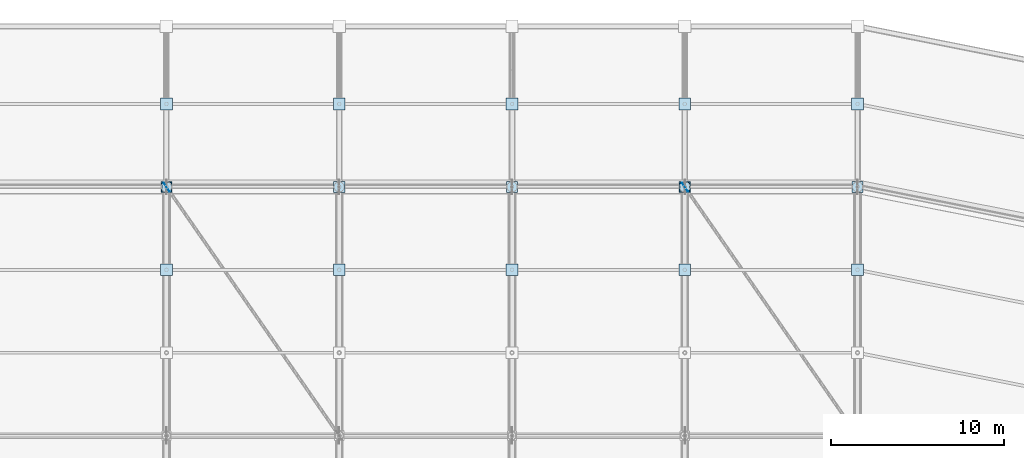
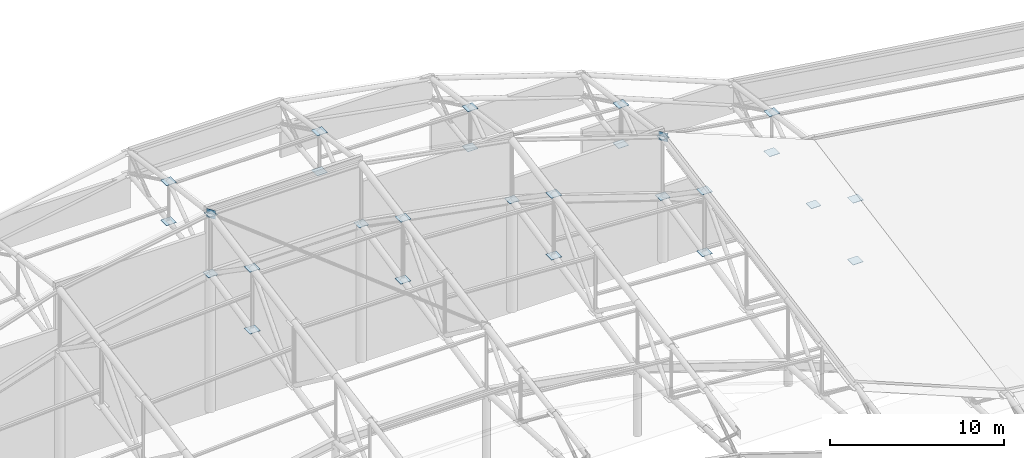
# One storey, part 144 of 146: 29 plates.
"""IFC4 building model written with IfcOpenShell, lengths in metres."""

from ifc_helpers import new_model, si_unit, direction, frame, origin, origin_2d, place, context, subcontext, project, spatial, rectangle, extrude, material, layer, layer_set, type_object, element, save


model = new_model("IFC4")

# Units and contexts
model_context = context("Model", 3, precision=1e-05, world=origin(), true_north=direction((0.0, 1.0)))
body_context = subcontext(model_context, "Body", "Model", "MODEL_VIEW")
ifc_project = project(units=[si_unit("LENGTHUNIT", "METRE"), si_unit("AREAUNIT", "SQUARE_METRE"), si_unit("VOLUMEUNIT", "CUBIC_METRE"), si_unit("PLANEANGLEUNIT", "RADIAN"), si_unit("MASSUNIT", "GRAM", prefix="KILO")], contexts=[model_context])

# Site, building, storey
site_placement = place(None, origin())
site = spatial("IfcSite", under=ifc_project, at=site_placement, CompositionType="ELEMENT")
building_placement = place(site_placement, origin())
building = spatial("IfcBuilding", under=site, at=building_placement, Name="Candeia Ridge Stadium", CompositionType="ELEMENT")
storey_placement = place(building_placement, frame((0.0, 0.0, 31.800048828125)))
storey = spatial("IfcBuildingStorey", under=building, at=storey_placement, Name="RF", CompositionType="ELEMENT", Elevation=31.800048828125)

# Plates
ifc_material = material(Name="Steel ASTM A572 Grade 50", Category="steel")
ifc_layer_1 = layer(ifc_material, 0.02490234375, Name="Steel ASTM A572 Grade 50", Category="steel")
ifc_layer_set_1 = layer_set([ifc_layer_1], Name="Steel ASTM A572 Grade 50")
plate_type_1 = type_object("IfcPlateType", Name="Hollow Section End Closure Plate CP1", PredefinedType="SHEET", material=ifc_layer_set_1)
for number, where, z_axis, x_axis, name in (
    (1, (141.0, 147.0, 0.387451171875), (0.0, 0.0, 1.0), (1.0, 0.0, 0.0), "Hollow section end closure plate MCAP-T-BC-OU-00"),
    (2, (131.0, 147.0, 4.466064453125), (0.0, 0.0, 1.0), (1.0, 0.0, 0.0), "Hollow section end closure plate MCAP-T-BC-OU-01"),
    (3, (121.0, 147.0, 7.73681640625), (0.0, 0.0, 1.0), (1.0, 0.0, 0.0), "Hollow section end closure plate MCAP-T-BC-OU-02"),
    (4, (111.0, 147.0, 9.5517578125), (0.0, 0.0, 1.0), (1.0, 0.0, 0.0), "Hollow section end closure plate MCAP-T-BC-OU-03"),
    (5, (101.0, 147.0, 9.5517578125), (0.0, 0.0, 1.0), (1.0, 0.0, 0.0), "Hollow section end closure plate MCAP-T-BC-OU-04"),
):
    element("IfcPlate", number, at=place(storey_placement, frame(where, z_axis=z_axis, x_axis=x_axis)), inside=storey, type_object=plate_type_1, Name=name, PredefinedType="SHEET", context=body_context, shape_type="SweptSolid", body=[
        extrude(rectangle(XDim=0.639892578125, YDim=0.639892578125, at=origin_2d()), origin(), (0.0, 0.0, 1.0), 0.02490234375),
    ])
ifc_layer_2 = layer(ifc_material, 0.02490234375, Name="Steel ASTM A572 Grade 50", Category="steel")
ifc_layer_set_2 = layer_set([ifc_layer_2], Name="Steel ASTM A572 Grade 50")
plate_type_2 = type_object("IfcPlateType", Name="Hollow Section End Closure Plate CP3", PredefinedType="SHEET", material=ifc_layer_set_2)
for number, where, z_axis, x_axis, name in (
    (6, (141.0, 142.199951171875, 3.699462890625), (0.0, 0.0, 1.0), (1.0, 0.0, 0.0), "Hollow section end closure plate NCAP-T-00-5"),
    (7, (141.0, 142.199951171875, -0.6337890625), (0.0, 0.0, 1.0), (1.0, 0.0, 0.0), "Hollow section end closure plate NCAP-B-00-5"),
    (8, (141.0, 151.800048828125, 3.94580078125), (0.0, 0.0, 1.0), (1.0, 0.0, 0.0), "Hollow section end closure plate NCAP-T-00-7"),
    (9, (141.0, 151.800048828125, 1.139404296875), (0.0, 0.0, 1.0), (1.0, 0.0, 0.0), "Hollow section end closure plate NCAP-B-00-7"),
):
    element("IfcPlate", number, at=place(storey_placement, frame(where, z_axis=z_axis, x_axis=x_axis)), inside=storey, type_object=plate_type_2, Name=name, PredefinedType="SHEET", context=body_context, shape_type="SweptSolid", body=[
        extrude(rectangle(XDim=0.679931640625, YDim=0.679931640625, at=origin_2d()), origin(), (0.0, 0.0, 1.0), 0.02490234375),
    ])
plate_1_placement = place(storey_placement, frame((131.0107421875, 146.984619140625, 8.658935546875), z_axis=(0.0, 0.0, 1.0), x_axis=(1.0, 0.0, 0.0)))
element("IfcPlate", 10, at=plate_1_placement, inside=storey, type_object=plate_type_2, Name="Hollow section end closure plate WBCAP-B-00", PredefinedType="SHEET", context=body_context, shape_type="SweptSolid", body=[
    extrude(rectangle(XDim=0.550048828125, YDim=0.550048828125, at=origin_2d()), origin(), (0.0, 0.0, 1.0), 0.02490234375),
])
for number, where, z_axis, x_axis, name in (
    (11, (131.0, 142.199951171875, 7.778076171875), (0.0, 0.0, 1.0), (1.0, 0.0, 0.0), "Hollow section end closure plate NCAP-T-01-5"),
    (12, (131.0, 142.199951171875, 3.444580078125), (0.0, 0.0, 1.0), (1.0, 0.0, 0.0), "Hollow section end closure plate NCAP-B-01-5"),
    (13, (131.0, 151.800048828125, 8.0244140625), (0.0, 0.0, 1.0), (1.0, 0.0, 0.0), "Hollow section end closure plate NCAP-T-01-7"),
    (14, (131.0, 151.800048828125, 5.218017578125), (0.0, 0.0, 1.0), (1.0, 0.0, 0.0), "Hollow section end closure plate NCAP-B-01-7"),
    (15, (121.0, 142.199951171875, 11.048583984375), (0.0, 0.0, 1.0), (1.0, 0.0, 0.0), "Hollow section end closure plate NCAP-T-02-5"),
    (16, (121.0, 142.199951171875, 6.71533203125), (0.0, 0.0, 1.0), (1.0, 0.0, 0.0), "Hollow section end closure plate NCAP-B-02-5"),
    (17, (121.0, 151.800048828125, 11.295166015625), (0.0, 0.0, 1.0), (1.0, 0.0, 0.0), "Hollow section end closure plate NCAP-T-02-7"),
    (18, (121.0, 151.800048828125, 8.488525390625), (0.0, 0.0, 1.0), (1.0, 0.0, 0.0), "Hollow section end closure plate NCAP-B-02-7"),
    (19, (111.0, 142.199951171875, 12.86376953125), (0.0, 0.0, 1.0), (1.0, 0.0, 0.0), "Hollow section end closure plate NCAP-T-03-5"),
    (20, (111.0, 142.199951171875, 8.530517578125), (0.0, 0.0, 1.0), (1.0, 0.0, 0.0), "Hollow section end closure plate NCAP-B-03-5"),
    (21, (111.0, 151.800048828125, 13.110107421875), (0.0, 0.0, 1.0), (1.0, 0.0, 0.0), "Hollow section end closure plate NCAP-T-03-7"),
    (22, (111.0, 151.800048828125, 10.3037109375), (0.0, 0.0, 1.0), (1.0, 0.0, 0.0), "Hollow section end closure plate NCAP-B-03-7"),
):
    element("IfcPlate", number, at=place(storey_placement, frame(where, z_axis=z_axis, x_axis=x_axis)), inside=storey, type_object=plate_type_2, Name=name, PredefinedType="SHEET", context=body_context, shape_type="SweptSolid", body=[
        extrude(rectangle(XDim=0.679931640625, YDim=0.679931640625, at=origin_2d()), origin(), (0.0, 0.0, 1.0), 0.02490234375),
    ])
plate_2_placement = place(storey_placement, frame((101.01123046875, 146.983642578125, 13.748779296875), z_axis=(0.0, 0.0, 1.0), x_axis=(1.0, 0.0, 0.0)))
element("IfcPlate", 23, at=plate_2_placement, inside=storey, type_object=plate_type_2, Name="Hollow section end closure plate WBCAP-B-03", PredefinedType="SHEET", context=body_context, shape_type="SweptSolid", body=[
    extrude(rectangle(XDim=0.550048828125, YDim=0.550048828125, at=origin_2d()), origin(), (0.0, 0.0, 1.0), 0.02490234375),
])
for number, where, z_axis, x_axis, name in (
    (24, (101.0, 142.199951171875, 12.86376953125), (0.0, 0.0, 1.0), (1.0, 0.0, 0.0), "Hollow section end closure plate NCAP-T-04-5"),
    (25, (101.0, 142.199951171875, 8.530517578125), (0.0, 0.0, 1.0), (1.0, 0.0, 0.0), "Hollow section end closure plate NCAP-B-04-5"),
    (26, (101.0, 151.800048828125, 13.110107421875), (0.0, 0.0, 1.0), (1.0, 0.0, 0.0), "Hollow section end closure plate NCAP-T-04-7"),
    (27, (101.0, 151.800048828125, 10.3037109375), (0.0, 0.0, 1.0), (1.0, 0.0, 0.0), "Hollow section end closure plate NCAP-B-04-7"),
):
    element("IfcPlate", number, at=place(storey_placement, frame(where, z_axis=z_axis, x_axis=x_axis)), inside=storey, type_object=plate_type_2, Name=name, PredefinedType="SHEET", context=body_context, shape_type="SweptSolid", body=[
        extrude(rectangle(XDim=0.679931640625, YDim=0.679931640625, at=origin_2d()), origin(), (0.0, 0.0, 1.0), 0.02490234375),
    ])
ifc_layer_3 = layer(ifc_material, 0.02392578125, Name="Steel ASTM A572 Grade 50", Category="steel")
ifc_layer_set_3 = layer_set([ifc_layer_3], Name="Steel ASTM A572 Grade 50")
plate_type_3 = type_object("IfcPlateType", Name="Roof Truss Chord-Web Node Gusset ND-3", PredefinedType="USERDEFINED", material=ifc_layer_set_3)
for number, where, z_axis, x_axis, name in (
    (28, (131.0107421875, 146.984619140625, 8.371337890625), (0.0, 0.0, 1.0), (-0.570395359839, 0.821370277934, 0.0), "Roof wind brace end gusset B bay 01"),
    (29, (101.01123046875, 146.983642578125, 13.461181640625), (0.0, 0.0, 1.0), (-0.570395359839, 0.821370277934, 0.0), "Roof wind brace end gusset B bay 04"),
):
    element("IfcPlate", number, at=place(storey_placement, frame(where, z_axis=z_axis, x_axis=x_axis)), inside=storey, type_object=plate_type_3, Name=name, ObjectType="GUSSET PLATE", PredefinedType="USERDEFINED", context=body_context, shape_type="SweptSolid", body=[
        extrude(rectangle(XDim=0.60009765625, YDim=0.02392578125, at=origin_2d()), origin(), (0.0, 0.0, 1.0), 0.60009765625),
    ])

save(model, "model.ifc")
